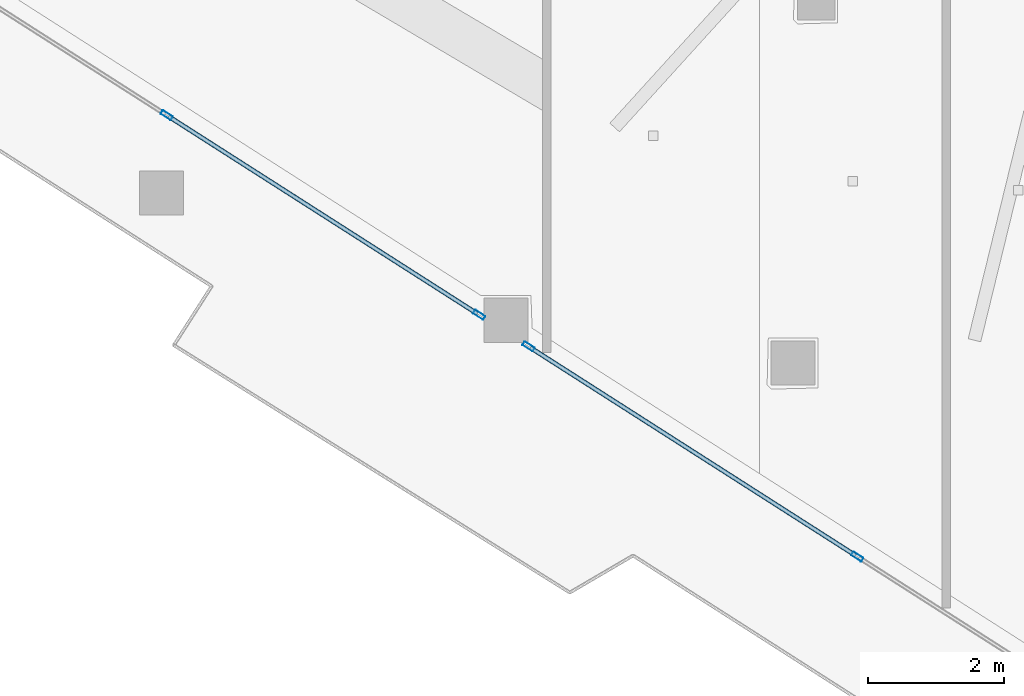
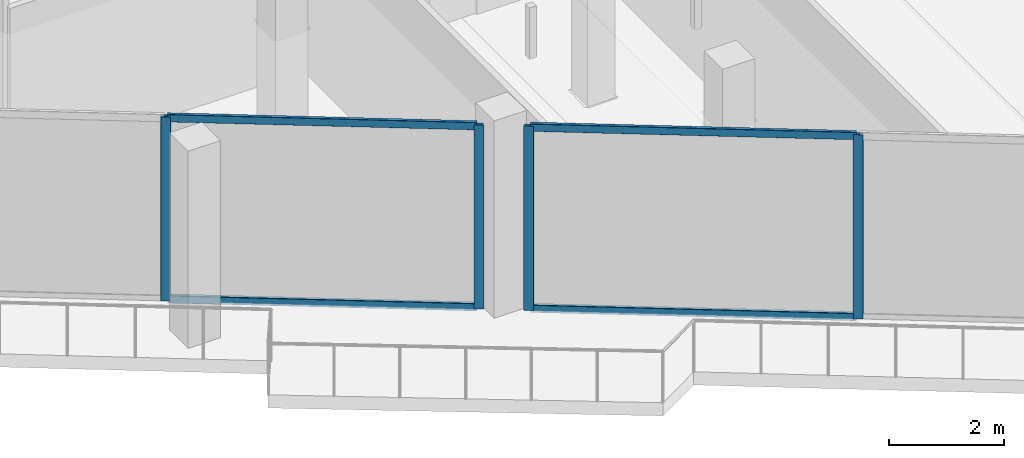
# One storey, part 2 of 45: 8 members, 2 elements without a shape of their own.
"""IFC4 building model written with IfcOpenShell, lengths in metres."""

from ifc_helpers import new_model, si_unit, direction, frame, origin, origin_2d, place, context, subcontext, project, spatial, hollow_rectangle, extrude, material, layer, layer_set, material_profile, profile_set, type_object, element, aggregate, save


model = new_model("IFC4")

# Units and contexts
model_context = context("Model", 3, precision=1e-05, world=origin(), true_north=direction((0.0, 1.0)))
body_context = subcontext(model_context, "Body", "Model", "MODEL_VIEW")
ifc_project = project(units=[si_unit("LENGTHUNIT", "METRE"), si_unit("AREAUNIT", "SQUARE_METRE"), si_unit("VOLUMEUNIT", "CUBIC_METRE"), si_unit("PLANEANGLEUNIT", "RADIAN"), si_unit("MASSUNIT", "GRAM", prefix="KILO")], contexts=[model_context])

# Site, building, storey
site_placement = place(None, origin())
site = spatial("IfcSite", under=ifc_project, at=site_placement, CompositionType="ELEMENT")
building_placement = place(site_placement, origin())
building = spatial("IfcBuilding", under=site, at=building_placement, Name="Qorvath Tower", CompositionType="ELEMENT")
storey_placement = place(building_placement, frame((0.0, 0.0, 91.199951171875)))
storey = spatial("IfcBuildingStorey", under=building, at=storey_placement, Name="L20", CompositionType="ELEMENT", Elevation=91.199951171875)

# Curtain wall, members
ifc_material_1 = material(Name="Anodised aluminium and triple low-E glass", Category="aluminium")
ifc_layer = layer(ifc_material_1, 0.179931640625)
ifc_layer_set = layer_set([ifc_layer], Name="CW-SYS-2")
curtain_wall_type = type_object("IfcCurtainWallType", Name="CW-SYS-2", PredefinedType="NOTDEFINED", material=ifc_layer_set)
curtain_wall_1_placement = place(storey_placement, origin())
curtain_wall_1 = element("IfcCurtainWall", 1, at=curtain_wall_1_placement, inside=storey, type_object=curtain_wall_type, Name="Curtain Wall CW-2 CW-T-L20-2.1", PredefinedType="NOTDEFINED")
ifc_material_2 = material(Name="Anodised aluminium 6063-T6", Category="aluminium")
ifc_material_profile_1 = material_profile(ifc_material_2, hollow_rectangle(XDim=0.06494140625, YDim=0.179931640625, WallThickness=0.00341796875, InnerFilletRadius=0.00341796875, OuterFilletRadius=0.007080078125, at=origin_2d()), Name="CWM 180x65")
ifc_profile_set_1 = profile_set([ifc_material_profile_1], Name="Anodised aluminium 6063-T6")
member_type_1 = type_object("IfcMemberType", Name="CWM-180", PredefinedType="MULLION", material=ifc_profile_set_1)
member_1_placement = place(storey_placement, frame((-40.255859375, -15.805419921875, 0.0), z_axis=(0.0, 0.0, 1.0), x_axis=(0.53852928912, 0.842606791309, 0.0)))
member_1 = element("IfcMember", 2, at=member_1_placement, type_object=member_type_1, Name="CW-2 mullion 5", PredefinedType="MULLION", context=body_context, shape_type="SweptSolid", body=[
    extrude(hollow_rectangle(XDim=0.06494140625, YDim=0.179931640625, WallThickness=0.00341796875, InnerFilletRadius=0.00341796875, OuterFilletRadius=0.007080078125, at=origin_2d()), origin(), (0.0, 0.0, 1.0), 3.920166015625),
])
member_2_placement = place(storey_placement, frame((-35.64892578125, -18.749755859375, 0.0), z_axis=(0.0, 0.0, 1.0), x_axis=(0.53852928912, 0.842606791309, 0.0)))
member_2 = element("IfcMember", 3, at=member_2_placement, type_object=member_type_1, Name="CW-2 mullion 6", PredefinedType="MULLION", context=body_context, shape_type="SweptSolid", body=[
    extrude(hollow_rectangle(XDim=0.06494140625, YDim=0.179931640625, WallThickness=0.00341796875, InnerFilletRadius=0.00341796875, OuterFilletRadius=0.007080078125, at=origin_2d()), origin(), (0.0, 0.0, 1.0), 3.920166015625),
])

curtain_wall_2_placement = place(storey_placement, origin())
curtain_wall_2 = element("IfcCurtainWall", 4, at=curtain_wall_2_placement, inside=storey, type_object=curtain_wall_type, Name="Curtain Wall CW-2 CW-T-L20-2.2", PredefinedType="NOTDEFINED")
member_3_placement = place(storey_placement, frame((-34.91845703125, -19.216796875, 0.0), z_axis=(0.0, 0.0, 1.0), x_axis=(0.538538603445, 0.842600838238, 0.0)))
member_3 = element("IfcMember", 5, at=member_3_placement, type_object=member_type_1, Name="CW-2 mullion 1", PredefinedType="MULLION", context=body_context, shape_type="SweptSolid", body=[
    extrude(hollow_rectangle(XDim=0.06494140625, YDim=0.179931640625, WallThickness=0.00341796875, InnerFilletRadius=0.00341796875, OuterFilletRadius=0.007080078125, at=origin_2d()), origin(), (0.0, 0.0, 1.0), 3.920166015625),
])
member_4_placement = place(storey_placement, frame((-30.07080078125, -22.31494140625, 0.0), z_axis=(0.0, 0.0, 1.0), x_axis=(0.538538603445, 0.842600838238, 0.0)))
member_4 = element("IfcMember", 6, at=member_4_placement, type_object=member_type_1, Name="CW-2 mullion 2", PredefinedType="MULLION", context=body_context, shape_type="SweptSolid", body=[
    extrude(hollow_rectangle(XDim=0.06494140625, YDim=0.179931640625, WallThickness=0.00341796875, InnerFilletRadius=0.00341796875, OuterFilletRadius=0.007080078125, at=origin_2d()), origin(), (0.0, 0.0, 1.0), 3.920166015625),
])

# Member
ifc_material_3 = material(Name="Anodised aluminium 6063-T6", Category="aluminium")
ifc_material_profile_2 = material_profile(ifc_material_3, hollow_rectangle(XDim=0.06494140625, YDim=0.159912109375, WallThickness=0.00341796875, InnerFilletRadius=0.00341796875, OuterFilletRadius=0.007080078125, at=origin_2d()), Name="CWT 160x65")
ifc_profile_set_2 = profile_set([ifc_material_profile_2], Name="Anodised aluminium 6063-T6")
member_type_2 = type_object("IfcMemberType", Name="CWT-160", PredefinedType="USERDEFINED", material=ifc_profile_set_2)
member_5_placement = place(storey_placement, frame((-40.228515625, -15.822998046875, 0.032470703125), z_axis=(0.842629048845, -0.538494462407, 0.0), x_axis=(0.538494462407, 0.842629048845, 0.0)))
member_5 = element("IfcMember", 7, at=member_5_placement, type_object=member_type_2, Name="CW-2 transom 5.1", ObjectType="TRANSOM", PredefinedType="USERDEFINED", context=body_context, shape_type="SweptSolid", body=[
    extrude(hollow_rectangle(XDim=0.06494140625, YDim=0.159912109375, WallThickness=0.00341796875, InnerFilletRadius=0.00341796875, OuterFilletRadius=0.007080078125, at=origin_2d()), origin(), (0.0, 0.0, 1.0), 5.40234375),
])

member_6_placement = place(storey_placement, frame((-40.228515625, -15.822998046875, 3.8876953125), z_axis=(0.842629048845, -0.538494462407, 0.0), x_axis=(0.538494462407, 0.842629048845, 0.0)))
member_6 = element("IfcMember", 8, at=member_6_placement, type_object=member_type_2, Name="CW-2 transom 5.2", ObjectType="TRANSOM", PredefinedType="USERDEFINED", context=body_context, shape_type="SweptSolid", body=[
    extrude(hollow_rectangle(XDim=0.06494140625, YDim=0.159912109375, WallThickness=0.00341796875, InnerFilletRadius=0.00341796875, OuterFilletRadius=0.007080078125, at=origin_2d()), origin(), (0.0, 0.0, 1.0), 5.40234375),
])

aggregate(curtain_wall_1, [member_1, member_2, member_5, member_6])

member_7_placement = place(storey_placement, frame((-34.89111328125, -19.234130859375, 0.032470703125), z_axis=(0.842592391102, -0.538551819659, 0.0), x_axis=(0.538551819659, 0.842592391102, 0.0)))
member_7 = element("IfcMember", 9, at=member_7_placement, type_object=member_type_2, Name="CW-2 transom 1.1", ObjectType="TRANSOM", PredefinedType="USERDEFINED", context=body_context, shape_type="SweptSolid", body=[
    extrude(hollow_rectangle(XDim=0.06494140625, YDim=0.159912109375, WallThickness=0.00341796875, InnerFilletRadius=0.00341796875, OuterFilletRadius=0.007080078125, at=origin_2d()), origin(), (0.0, 0.0, 1.0), 5.6884765625),
])

member_8_placement = place(storey_placement, frame((-34.89111328125, -19.234130859375, 3.8876953125), z_axis=(0.842592391102, -0.538551819659, 0.0), x_axis=(0.538551819659, 0.842592391102, 0.0)))
member_8 = element("IfcMember", 10, at=member_8_placement, type_object=member_type_2, Name="CW-2 transom 1.2", ObjectType="TRANSOM", PredefinedType="USERDEFINED", context=body_context, shape_type="SweptSolid", body=[
    extrude(hollow_rectangle(XDim=0.06494140625, YDim=0.159912109375, WallThickness=0.00341796875, InnerFilletRadius=0.00341796875, OuterFilletRadius=0.007080078125, at=origin_2d()), origin(), (0.0, 0.0, 1.0), 5.6884765625),
])

aggregate(curtain_wall_2, [member_3, member_4, member_7, member_8])

save(model, "model.ifc")
